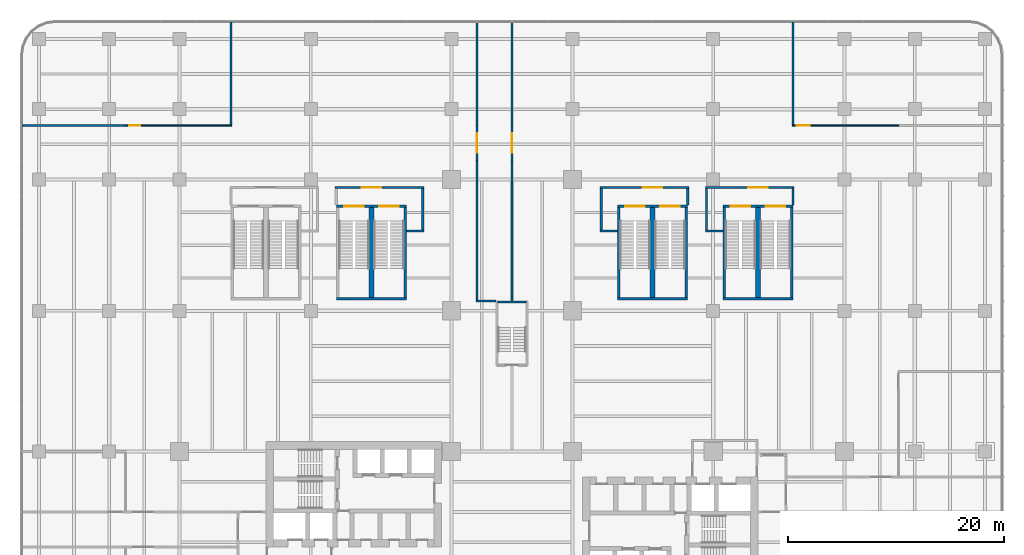
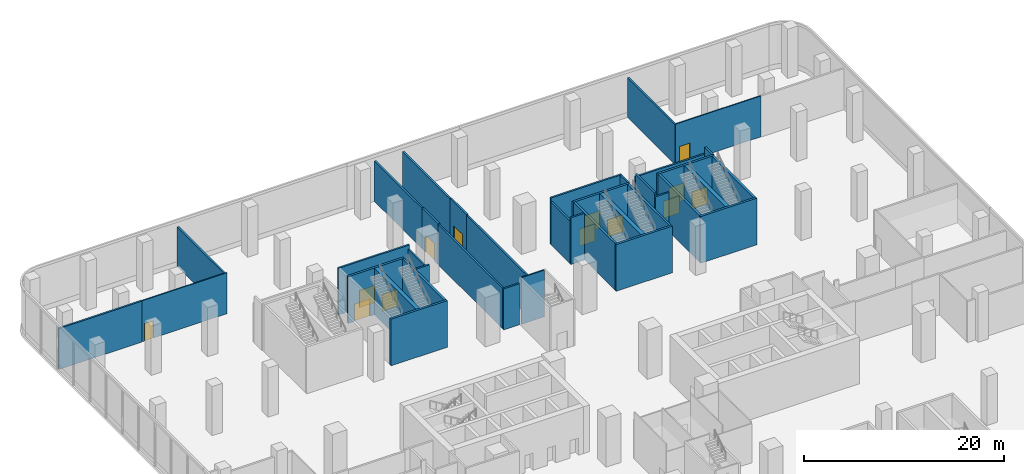
# One storey, part 38 of 41: 38 walls, 13 doors, 13 openings.
"""IFC4 building model written with IfcOpenShell, lengths in metres."""

from ifc_helpers import new_model, si_unit, direction, frame, frame_2d, origin, place, context, subcontext, project, spatial, rectangle, extrude, source, transform, mapped, material, layer, layer_set, type_object, element, fill, save


model = new_model("IFC4")

# Units and contexts
model_context = context("Model", 3, precision=1e-05, world=origin(), true_north=direction((0.0, 1.0)))
body_context = subcontext(model_context, "Body", "Model", "MODEL_VIEW")
ifc_project = project(units=[si_unit("LENGTHUNIT", "METRE"), si_unit("AREAUNIT", "SQUARE_METRE"), si_unit("VOLUMEUNIT", "CUBIC_METRE"), si_unit("PLANEANGLEUNIT", "RADIAN"), si_unit("MASSUNIT", "GRAM", prefix="KILO")], contexts=[model_context])

# Site, building, storey
site_placement = place(None, origin())
site = spatial("IfcSite", under=ifc_project, at=site_placement, CompositionType="ELEMENT")
building_placement = place(site_placement, origin())
building = spatial("IfcBuilding", under=site, at=building_placement, Name="Trellis Farm Tower", CompositionType="ELEMENT")
storey_placement = place(building_placement, frame((0.0, 0.0, 8.0)))
storey = spatial("IfcBuildingStorey", under=building, at=storey_placement, Name="L01", CompositionType="ELEMENT", Elevation=8.0)

# Wall
ifc_material_1 = material(Name="Concrete C80/95", Category="concrete")
ifc_layer_1 = layer(ifc_material_1, 0.14990234375)
ifc_layer_set_1 = layer_set([ifc_layer_1], Name="CORE STAIR ENCLOSURE WALL 150 CONCRETE C80/95")
wall_type_1 = type_object("IfcWallType", Name="CORE STAIR ENCLOSURE WALL 150 CONCRETE C80/95", PredefinedType="SHEAR", material=ifc_layer_set_1)
shared_shape_1 = source(origin(), body_context, "Body", "SweptSolid", [
    extrude(rectangle(XDim=2.60009765625, YDim=0.14990234375, at=frame_2d((1.300048828125, 0.0))), origin(), (0.0, 0.0, 1.0), 5.699951171875),
])
wall_1_placement = place(storey_placement, frame((-1.300048828125, 19.425048828125, 0.0), z_axis=(0.0, 0.0, 1.0), x_axis=(1.0, 0.0, 0.0)))
element("IfcWall", 1, at=wall_1_placement, inside=storey, type_object=wall_type_1, Name="Stair enclosure wall", PredefinedType="SHEAR", context=body_context, shape_type="MappedRepresentation", body=[
    mapped(shared_shape_1, transform((0.0, 0.0, 0.0))),
])

# Wall, openings, doors
ifc_layer_2 = layer(ifc_material_1, 0.25)
ifc_layer_set_2 = layer_set([ifc_layer_2], Name="CORE STAIR ENCLOSURE WALL 250 CONCRETE C80/95")
wall_type_2 = type_object("IfcWallType", Name="CORE STAIR ENCLOSURE WALL 250 CONCRETE C80/95", PredefinedType="SHEAR", material=ifc_layer_set_2)
shared_shape_2 = source(origin(), body_context, "Body", "SweptSolid", [
    extrude(rectangle(XDim=6.5, YDim=0.25, at=frame_2d((3.25, 0.0))), origin(), (0.0, 0.0, 1.0), 5.699951171875),
])
wall_2_placement = place(storey_placement, frame((-16.25, 28.27490234375, 0.0), z_axis=(0.0, 0.0, 1.0), x_axis=(1.0, 0.0, 0.0)))
wall_2 = element("IfcWall", 2, at=wall_2_placement, inside=storey, type_object=wall_type_2, Name="Podium stair enclosure wall", PredefinedType="SHEAR", context=body_context, shape_type="MappedRepresentation", body=[
    mapped(shared_shape_2, transform((0.0, 0.0, 0.0))),
])
shared_shape_3 = source(origin(), body_context, "Body", "SweptSolid", [
    extrude(rectangle(XDim=1.800048828125, YDim=2.10009765625, at=frame_2d((0.89990234375, 1.050048828125))), frame((0.0, 0.135009765625, 0.0), z_axis=(0.0, -1.0, 0.0), x_axis=(1.0, 0.0, 0.0)), (0.0, 0.0, 1.0), 0.27001953125),
])
opening_1_placement = place(wall_2_placement, frame((0.72509765625, 0.0, 0.0)))
opening_1 = element("IfcOpeningElement", 3, at=opening_1_placement, cuts=wall_2, Name="Opening DP3", PredefinedType="OPENING", context=body_context, shape_type="MappedRepresentation", body=[
    mapped(shared_shape_3, transform((0.0, 0.0, 0.0))),
])
opening_2_placement = place(wall_2_placement, frame((3.97509765625, 0.0, 0.0)))
opening_2 = element("IfcOpeningElement", 4, at=opening_2_placement, cuts=wall_2, Name="Opening DP4", PredefinedType="OPENING", context=body_context, shape_type="MappedRepresentation", body=[
    mapped(shared_shape_3, transform((0.0, 0.0, 0.0))),
])
ifc_material_2 = material(Name="Steel", Category="steel")
door_type_1 = type_object("IfcDoorType", Name="CORE FIRE DOOR DOUBLE 1800 X 2100", OperationType="DOUBLE_DOOR_SINGLE_SWING", PredefinedType="DOOR", material=ifc_material_2)
shared_shape_4 = source(origin(), body_context, "Body", "SweptSolid", [
    extrude(rectangle(XDim=1.800048828125, YDim=2.10009765625, at=frame_2d((0.89990234375, 1.050048828125))), frame((0.0, 0.02490234375, 0.0), z_axis=(0.0, -1.0, 0.0), x_axis=(1.0, 0.0, 0.0)), (0.0, 0.0, 1.0), 0.050048828125),
])
door_1_placement = place(opening_1_placement, origin())
door_1 = element("IfcDoor", 5, at=door_1_placement, inside=storey, type_object=door_type_1, Name="Podium stair door", OperationType="DOUBLE_DOOR_SINGLE_SWING", OverallHeight=2.10009765625, OverallWidth=1.800048828125, PredefinedType="DOOR", context=body_context, shape_type="MappedRepresentation", body=[
    mapped(shared_shape_4, transform((0.0, 0.0, 0.0))),
])
fill(opening_1, door_1)
door_2_placement = place(opening_2_placement, origin())
door_2 = element("IfcDoor", 6, at=door_2_placement, inside=storey, type_object=door_type_1, Name="Podium stair door", OperationType="DOUBLE_DOOR_SINGLE_SWING", OverallHeight=2.10009765625, OverallWidth=1.800048828125, PredefinedType="DOOR", context=body_context, shape_type="MappedRepresentation", body=[
    mapped(shared_shape_4, transform((0.0, 0.0, 0.0))),
])
fill(opening_2, door_2)

# Wall
wall_3_placement = place(storey_placement, frame((-16.25, 19.72509765625, 0.0), z_axis=(0.0, 0.0, 1.0), x_axis=(1.0, 0.0, 0.0)))
element("IfcWall", 7, at=wall_3_placement, inside=storey, type_object=wall_type_2, Name="Podium stair enclosure wall", PredefinedType="SHEAR", context=body_context, shape_type="MappedRepresentation", body=[
    mapped(shared_shape_2, transform((0.0, 0.0, 0.0))),
])

# Wall, openings, doors
wall_4_placement = place(storey_placement, frame((9.75, 28.27490234375, 0.0), z_axis=(0.0, 0.0, 1.0), x_axis=(1.0, 0.0, 0.0)))
wall_4 = element("IfcWall", 8, at=wall_4_placement, inside=storey, type_object=wall_type_2, Name="Podium stair enclosure wall", PredefinedType="SHEAR", context=body_context, shape_type="MappedRepresentation", body=[
    mapped(shared_shape_2, transform((0.0, 0.0, 0.0))),
])
opening_3_placement = place(wall_4_placement, frame((0.72509765625, 0.0, 0.0)))
opening_3 = element("IfcOpeningElement", 9, at=opening_3_placement, cuts=wall_4, Name="Opening DP5", PredefinedType="OPENING", context=body_context, shape_type="MappedRepresentation", body=[
    mapped(shared_shape_3, transform((0.0, 0.0, 0.0))),
])
opening_4_placement = place(wall_4_placement, frame((3.97509765625, 0.0, 0.0)))
opening_4 = element("IfcOpeningElement", 10, at=opening_4_placement, cuts=wall_4, Name="Opening DP6", PredefinedType="OPENING", context=body_context, shape_type="MappedRepresentation", body=[
    mapped(shared_shape_3, transform((0.0, 0.0, 0.0))),
])
door_3_placement = place(opening_3_placement, origin())
door_3 = element("IfcDoor", 11, at=door_3_placement, inside=storey, type_object=door_type_1, Name="Podium stair door", OperationType="DOUBLE_DOOR_SINGLE_SWING", OverallHeight=2.10009765625, OverallWidth=1.800048828125, PredefinedType="DOOR", context=body_context, shape_type="MappedRepresentation", body=[
    mapped(shared_shape_4, transform((0.0, 0.0, 0.0))),
])
fill(opening_3, door_3)
door_4_placement = place(opening_4_placement, origin())
door_4 = element("IfcDoor", 12, at=door_4_placement, inside=storey, type_object=door_type_1, Name="Podium stair door", OperationType="DOUBLE_DOOR_SINGLE_SWING", OverallHeight=2.10009765625, OverallWidth=1.800048828125, PredefinedType="DOOR", context=body_context, shape_type="MappedRepresentation", body=[
    mapped(shared_shape_4, transform((0.0, 0.0, 0.0))),
])
fill(opening_4, door_4)

# Wall
wall_5_placement = place(storey_placement, frame((9.75, 19.72509765625, 0.0), z_axis=(0.0, 0.0, 1.0), x_axis=(1.0, 0.0, 0.0)))
element("IfcWall", 13, at=wall_5_placement, inside=storey, type_object=wall_type_2, Name="Podium stair enclosure wall", PredefinedType="SHEAR", context=body_context, shape_type="MappedRepresentation", body=[
    mapped(shared_shape_2, transform((0.0, 0.0, 0.0))),
])

# Wall, openings, doors
wall_6_placement = place(storey_placement, frame((19.5, 28.27490234375, 0.0), z_axis=(0.0, 0.0, 1.0), x_axis=(1.0, 0.0, 0.0)))
wall_6 = element("IfcWall", 14, at=wall_6_placement, inside=storey, type_object=wall_type_2, Name="Podium stair enclosure wall", PredefinedType="SHEAR", context=body_context, shape_type="MappedRepresentation", body=[
    mapped(shared_shape_2, transform((0.0, 0.0, 0.0))),
])
opening_5_placement = place(wall_6_placement, frame((0.72509765625, 0.0, 0.0)))
opening_5 = element("IfcOpeningElement", 15, at=opening_5_placement, cuts=wall_6, Name="Opening DP7", PredefinedType="OPENING", context=body_context, shape_type="MappedRepresentation", body=[
    mapped(shared_shape_3, transform((0.0, 0.0, 0.0))),
])
opening_6_placement = place(wall_6_placement, frame((3.97509765625, 0.0, 0.0)))
opening_6 = element("IfcOpeningElement", 16, at=opening_6_placement, cuts=wall_6, Name="Opening DP8", PredefinedType="OPENING", context=body_context, shape_type="MappedRepresentation", body=[
    mapped(shared_shape_3, transform((0.0, 0.0, 0.0))),
])
door_5_placement = place(opening_5_placement, origin())
door_5 = element("IfcDoor", 17, at=door_5_placement, inside=storey, type_object=door_type_1, Name="Podium stair door", OperationType="DOUBLE_DOOR_SINGLE_SWING", OverallHeight=2.10009765625, OverallWidth=1.800048828125, PredefinedType="DOOR", context=body_context, shape_type="MappedRepresentation", body=[
    mapped(shared_shape_4, transform((0.0, 0.0, 0.0))),
])
fill(opening_5, door_5)
door_6_placement = place(opening_6_placement, origin())
door_6 = element("IfcDoor", 18, at=door_6_placement, inside=storey, type_object=door_type_1, Name="Podium stair door", OperationType="DOUBLE_DOOR_SINGLE_SWING", OverallHeight=2.10009765625, OverallWidth=1.800048828125, PredefinedType="DOOR", context=body_context, shape_type="MappedRepresentation", body=[
    mapped(shared_shape_4, transform((0.0, 0.0, 0.0))),
])
fill(opening_6, door_6)

# Walls
wall_7_placement = place(storey_placement, frame((19.5, 19.72509765625, 0.0), z_axis=(0.0, 0.0, 1.0), x_axis=(1.0, 0.0, 0.0)))
element("IfcWall", 19, at=wall_7_placement, inside=storey, type_object=wall_type_2, Name="Podium stair enclosure wall", PredefinedType="SHEAR", context=body_context, shape_type="MappedRepresentation", body=[
    mapped(shared_shape_2, transform((0.0, 0.0, 0.0))),
])
shared_shape_5 = source(origin(), body_context, "Body", "SweptSolid", [
    extrude(rectangle(XDim=8.2998046875, YDim=0.25, at=frame_2d((4.14990234375, 0.0))), origin(), (0.0, 0.0, 1.0), 5.699951171875),
])
for number, where, z_axis, x_axis, name in (
    (20, (-9.875, 19.85009765625, 0.0), (0.0, 0.0, 1.0), (0.0, 1.0, 0.0), "Podium stair enclosure wall"),
    (21, (9.875, 19.85009765625, 0.0), (0.0, 0.0, 1.0), (0.0, 1.0, 0.0), "Podium stair enclosure wall"),
    (22, (16.125, 19.85009765625, 0.0), (0.0, 0.0, 1.0), (0.0, 1.0, 0.0), "Podium stair enclosure wall"),
    (23, (19.625, 19.85009765625, 0.0), (0.0, 0.0, 1.0), (0.0, 1.0, 0.0), "Podium stair enclosure wall"),
    (24, (25.875, 19.85009765625, 0.0), (0.0, 0.0, 1.0), (0.0, 1.0, 0.0), "Podium stair enclosure wall"),
):
    element("IfcWall", number, at=place(storey_placement, frame(where, z_axis=z_axis, x_axis=x_axis)), inside=storey, type_object=wall_type_2, Name=name, PredefinedType="SHEAR", context=body_context, shape_type="MappedRepresentation", body=[
        mapped(shared_shape_5, transform((0.0, 0.0, 0.0))),
    ])
ifc_layer_3 = layer(ifc_material_1, 0.43994140625)
ifc_layer_set_3 = layer_set([ifc_layer_3], Name="CORE STAIR ENCLOSURE WALL 440 CONCRETE C80/95")
wall_type_3 = type_object("IfcWallType", Name="CORE STAIR ENCLOSURE WALL 440 CONCRETE C80/95", PredefinedType="SHEAR", material=ifc_layer_set_3)
shared_shape_6 = source(origin(), body_context, "Body", "SweptSolid", [
    extrude(rectangle(XDim=8.2998046875, YDim=0.43994140625, at=frame_2d((4.14990234375, 0.0))), origin(), (0.0, 0.0, 1.0), 5.699951171875),
])
for number, where, z_axis, x_axis, name in (
    (25, (-13.0, 19.85009765625, 0.0), (0.0, 0.0, 1.0), (0.0, 1.0, 0.0), "Podium stair enclosure wall"),
    (26, (13.0, 19.85009765625, 0.0), (0.0, 0.0, 1.0), (0.0, 1.0, 0.0), "Podium stair enclosure wall"),
    (27, (22.75, 19.85009765625, 0.0), (0.0, 0.0, 1.0), (0.0, 1.0, 0.0), "Podium stair enclosure wall"),
):
    element("IfcWall", number, at=place(storey_placement, frame(where, z_axis=z_axis, x_axis=x_axis)), inside=storey, type_object=wall_type_3, Name=name, PredefinedType="SHEAR", context=body_context, shape_type="MappedRepresentation", body=[
        mapped(shared_shape_6, transform((0.0, 0.0, 0.0))),
    ])
ifc_material_3 = material(Name="Lightweight blockwork, plastered", Category="masonry")
ifc_layer_4 = layer(ifc_material_3, 0.199951171875)
ifc_layer_set_4 = layer_set([ifc_layer_4], Name="BLOCK WALL 200 EI 120")
wall_type_4 = type_object("IfcWallType", Name="BLOCK WALL 200 EI 120", PredefinedType="PARTITIONING", material=ifc_layer_set_4)
shared_shape_7 = source(origin(), body_context, "Body", "SweptSolid", [
    extrude(rectangle(XDim=1.5, YDim=0.199951171875, at=frame_2d((0.75, 0.0))), origin(), (0.0, 0.0, 1.0), 5.699951171875),
])
for number, where, z_axis, x_axis, name in (
    (28, (16.25, 28.39990234375, 0.0), (0.0, 0.0, 1.0), (0.0, 1.0, 0.0), "Partition PW3"),
    (29, (26.0, 28.39990234375, 0.0), (0.0, 0.0, 1.0), (0.0, 1.0, 0.0), "Partition PW3"),
):
    element("IfcWall", number, at=place(storey_placement, frame(where, z_axis=z_axis, x_axis=x_axis)), inside=storey, type_object=wall_type_4, Name=name, PredefinedType="PARTITIONING", context=body_context, shape_type="MappedRepresentation", body=[
        mapped(shared_shape_7, transform((0.0, 0.0, 0.0))),
    ])
shared_shape_8 = source(origin(), body_context, "Body", "SweptSolid", [
    extrude(rectangle(XDim=9.487548828125, YDim=0.199951171875, at=frame_2d((4.74365234375, 0.0))), origin(), (0.0, 0.0, 1.0), 4.83935546875),
])
for number, where, z_axis, x_axis, name in (
    (30, (-26.0, 35.8125, 0.0), (0.0, 0.0, 1.0), (0.0, 1.0, 0.0), "Partition PW3"),
    (31, (26.0, 35.8125, 0.0), (0.0, 0.0, 1.0), (0.0, 1.0, 0.0), "Partition PW3"),
):
    element("IfcWall", number, at=place(storey_placement, frame(where, z_axis=z_axis, x_axis=x_axis)), inside=storey, type_object=wall_type_4, Name=name, PredefinedType="PARTITIONING", context=body_context, shape_type="MappedRepresentation", body=[
        mapped(shared_shape_8, transform((0.0, 0.0, 0.0))),
    ])
shared_shape_9 = source(origin(), body_context, "Body", "SweptSolid", [
    extrude(rectangle(XDim=3.7998046875, YDim=0.199951171875, at=frame_2d((1.89990234375, 0.0))), origin(), (0.0, 0.0, 1.0), 5.222900390625),
])
for number, where, z_axis, x_axis, name in (
    (32, (-8.25, 26.10009765625, 0.0), (0.0, 0.0, 1.0), (0.0, 1.0, 0.0), "Partition PW3"),
    (33, (8.25, 26.10009765625, 0.0), (0.0, 0.0, 1.0), (0.0, 1.0, 0.0), "Partition PW3"),
    (34, (18.0, 26.10009765625, 0.0), (0.0, 0.0, 1.0), (0.0, 1.0, 0.0), "Partition PW3"),
):
    element("IfcWall", number, at=place(storey_placement, frame(where, z_axis=z_axis, x_axis=x_axis)), inside=storey, type_object=wall_type_4, Name=name, PredefinedType="PARTITIONING", context=body_context, shape_type="MappedRepresentation", body=[
        mapped(shared_shape_9, transform((0.0, 0.0, 0.0))),
    ])
shared_shape_10 = source(origin(), body_context, "Body", "SweptSolid", [
    extrude(rectangle(XDim=12.89990234375, YDim=0.199951171875, at=frame_2d((6.449951171875, 0.0))), origin(), (0.0, 0.0, 1.0), 4.917724609375),
])
wall_8_placement = place(storey_placement, frame((-3.25, 19.60009765625, 0.0), z_axis=(0.0, 0.0, 1.0), x_axis=(0.0, 1.0, 0.0)))
element("IfcWall", 35, at=wall_8_placement, inside=storey, type_object=wall_type_4, Name="Partition PW3", PredefinedType="PARTITIONING", context=body_context, shape_type="MappedRepresentation", body=[
    mapped(shared_shape_10, transform((0.0, 0.0, 0.0))),
])

# Wall, opening, door
shared_shape_11 = source(origin(), body_context, "Body", "SweptSolid", [
    extrude(rectangle(XDim=3.25, YDim=0.199951171875, at=frame_2d((1.625, 0.0))), origin(), (0.0, 0.0, 1.0), 4.99658203125),
])
wall_9_placement = place(storey_placement, frame((-3.25, 32.5, 0.0), z_axis=(0.0, 0.0, 1.0), x_axis=(0.0, 1.0, 0.0)))
wall_9 = element("IfcWall", 36, at=wall_9_placement, inside=storey, type_object=wall_type_4, Name="Partition PW3", PredefinedType="PARTITIONING", context=body_context, shape_type="MappedRepresentation", body=[
    mapped(shared_shape_11, transform((0.0, 0.0, 0.0))),
])
shared_shape_12 = source(origin(), body_context, "Body", "SweptSolid", [
    extrude(rectangle(XDim=1.800048828125, YDim=2.10009765625, at=frame_2d((0.89990234375, 1.050048828125))), frame((0.0, 0.110107421875, 0.0), z_axis=(0.0, -1.0, 0.0), x_axis=(1.0, 0.0, 0.0)), (0.0, 0.0, 1.0), 0.22021484375),
])
opening_7_placement = place(wall_9_placement, frame((0.72509765625, 0.0, 0.0)))
opening_7 = element("IfcOpeningElement", 37, at=opening_7_placement, cuts=wall_9, Name="Opening D420", PredefinedType="OPENING", context=body_context, shape_type="MappedRepresentation", body=[
    mapped(shared_shape_12, transform((0.0, 0.0, 0.0))),
])
ifc_material_4 = material(Name="Fire-rated timber door leaf in a hollow metal frame", Category="wood")
door_type_2 = type_object("IfcDoorType", Name="DOOR PAIR 1800x2100 FD60", OperationType="NOTDEFINED", PredefinedType="DOOR", material=ifc_material_4)
door_7_placement = place(opening_7_placement, origin())
door_7 = element("IfcDoor", 38, at=door_7_placement, inside=storey, type_object=door_type_2, Name="Door D420", OperationType="DOUBLE_DOOR_SINGLE_SWING", OverallHeight=2.10009765625, OverallWidth=1.800048828125, PredefinedType="DOOR", context=body_context, shape_type="MappedRepresentation", body=[
    mapped(shared_shape_4, transform((0.0, 0.0, 0.0))),
])
fill(opening_7, door_7)

wall_10_placement = place(storey_placement, frame((0.0, 35.75, 0.0), z_axis=(0.0, 0.0, 1.0), x_axis=(0.0, -1.0, 0.0)))
wall_10 = element("IfcWall", 39, at=wall_10_placement, inside=storey, type_object=wall_type_4, Name="Partition PW3", PredefinedType="PARTITIONING", context=body_context, shape_type="MappedRepresentation", body=[
    mapped(shared_shape_11, transform((0.0, 0.0, 0.0))),
])
opening_8_placement = place(wall_10_placement, frame((0.72509765625, 0.0, 0.0)))
opening_8 = element("IfcOpeningElement", 40, at=opening_8_placement, cuts=wall_10, Name="Opening D421", PredefinedType="OPENING", context=body_context, shape_type="MappedRepresentation", body=[
    mapped(shared_shape_12, transform((0.0, 0.0, 0.0))),
])
door_8_placement = place(opening_8_placement, origin())
door_8 = element("IfcDoor", 41, at=door_8_placement, inside=storey, type_object=door_type_2, Name="Door D421", OperationType="DOUBLE_DOOR_SINGLE_SWING", OverallHeight=2.10009765625, OverallWidth=1.800048828125, PredefinedType="DOOR", context=body_context, shape_type="MappedRepresentation", body=[
    mapped(shared_shape_4, transform((0.0, 0.0, 0.0))),
])
fill(opening_8, door_8)

# Walls
shared_shape_13 = source(origin(), body_context, "Body", "SweptSolid", [
    extrude(rectangle(XDim=9.550048828125, YDim=0.199951171875, at=frame_2d((4.77490234375, 0.0))), origin(), (0.0, 0.0, 1.0), 4.917724609375),
])
for number, where, z_axis, x_axis, name in (
    (42, (-3.25, 35.75, 0.0), (0.0, 0.0, 1.0), (0.0, 1.0, 0.0), "Partition PW3"),
    (43, (0.0, 45.300048828125, 0.0), (0.0, 0.0, 1.0), (0.0, -1.0, 0.0), "Partition PW3"),
):
    element("IfcWall", number, at=place(storey_placement, frame(where, z_axis=z_axis, x_axis=x_axis)), inside=storey, type_object=wall_type_4, Name=name, PredefinedType="PARTITIONING", context=body_context, shape_type="MappedRepresentation", body=[
        mapped(shared_shape_13, transform((0.0, 0.0, 0.0))),
    ])
shared_shape_14 = source(origin(), body_context, "Body", "SweptSolid", [
    extrude(rectangle(XDim=13.0, YDim=0.199951171875, at=frame_2d((6.5, 0.0))), origin(), (0.0, 0.0, 1.0), 4.917724609375),
])
wall_11_placement = place(storey_placement, frame((0.0, 19.5, 0.0), z_axis=(0.0, 0.0, 1.0), x_axis=(0.0, 1.0, 0.0)))
element("IfcWall", 44, at=wall_11_placement, inside=storey, type_object=wall_type_4, Name="Partition PW3", PredefinedType="PARTITIONING", context=body_context, shape_type="MappedRepresentation", body=[
    mapped(shared_shape_14, transform((0.0, 0.0, 0.0))),
])
shared_shape_15 = source(origin(), body_context, "Body", "SweptSolid", [
    extrude(rectangle(XDim=9.550048828125, YDim=0.199951171875, at=frame_2d((4.77490234375, 0.0))), origin(), (0.0, 0.0, 1.0), 4.99658203125),
])
wall_12_placement = place(storey_placement, frame((-45.300048828125, 35.75, 0.0), z_axis=(0.0, 0.0, 1.0), x_axis=(1.0, 0.0, 0.0)))
element("IfcWall", 45, at=wall_12_placement, inside=storey, type_object=wall_type_4, Name="Partition PW3", PredefinedType="PARTITIONING", context=body_context, shape_type="MappedRepresentation", body=[
    mapped(shared_shape_15, transform((0.0, 0.0, 0.0))),
])

# Wall, opening, door
shared_shape_16 = source(origin(), body_context, "Body", "SweptSolid", [
    extrude(rectangle(XDim=8.2001953125, YDim=0.199951171875, at=frame_2d((4.10009765625, 0.0))), origin(), (0.0, 0.0, 1.0), 5.699951171875),
])
wall_13_placement = place(storey_placement, frame((-16.35009765625, 30.0, 0.0), z_axis=(0.0, 0.0, 1.0), x_axis=(1.0, 0.0, 0.0)))
wall_13 = element("IfcWall", 46, at=wall_13_placement, inside=storey, type_object=wall_type_4, Name="Partition PW3", PredefinedType="PARTITIONING", context=body_context, shape_type="MappedRepresentation", body=[
    mapped(shared_shape_16, transform((0.0, 0.0, 0.0))),
])
opening_9_placement = place(wall_13_placement, frame((2.449951171875, 0.0, 0.0)))
opening_9 = element("IfcOpeningElement", 47, at=opening_9_placement, cuts=wall_13, Name="Opening D417", PredefinedType="OPENING", context=body_context, shape_type="MappedRepresentation", body=[
    mapped(shared_shape_12, transform((0.0, 0.0, 0.0))),
])
door_9_placement = place(opening_9_placement, origin())
door_9 = element("IfcDoor", 48, at=door_9_placement, inside=storey, type_object=door_type_2, Name="Door D417", OperationType="DOUBLE_DOOR_SINGLE_SWING", OverallHeight=2.10009765625, OverallWidth=1.800048828125, PredefinedType="DOOR", context=body_context, shape_type="MappedRepresentation", body=[
    mapped(shared_shape_4, transform((0.0, 0.0, 0.0))),
])
fill(opening_9, door_9)

wall_14_placement = place(storey_placement, frame((8.14990234375, 30.0, 0.0), z_axis=(0.0, 0.0, 1.0), x_axis=(1.0, 0.0, 0.0)))
wall_14 = element("IfcWall", 49, at=wall_14_placement, inside=storey, type_object=wall_type_4, Name="Partition PW3", PredefinedType="PARTITIONING", context=body_context, shape_type="MappedRepresentation", body=[
    mapped(shared_shape_16, transform((0.0, 0.0, 0.0))),
])
opening_10_placement = place(wall_14_placement, frame((3.949951171875, 0.0, 0.0)))
opening_10 = element("IfcOpeningElement", 50, at=opening_10_placement, cuts=wall_14, Name="Opening D418", PredefinedType="OPENING", context=body_context, shape_type="MappedRepresentation", body=[
    mapped(shared_shape_12, transform((0.0, 0.0, 0.0))),
])
door_10_placement = place(opening_10_placement, origin())
door_10 = element("IfcDoor", 51, at=door_10_placement, inside=storey, type_object=door_type_2, Name="Door D418", OperationType="DOUBLE_DOOR_SINGLE_SWING", OverallHeight=2.10009765625, OverallWidth=1.800048828125, PredefinedType="DOOR", context=body_context, shape_type="MappedRepresentation", body=[
    mapped(shared_shape_4, transform((0.0, 0.0, 0.0))),
])
fill(opening_10, door_10)

shared_shape_17 = source(origin(), body_context, "Body", "SweptSolid", [
    extrude(rectangle(XDim=8.2001953125, YDim=0.199951171875, at=frame_2d((4.10009765625, 0.0))), origin(), (0.0, 0.0, 1.0), 4.83935546875),
])
wall_15_placement = place(storey_placement, frame((17.89990234375, 30.0, 0.0), z_axis=(0.0, 0.0, 1.0), x_axis=(1.0, 0.0, 0.0)))
wall_15 = element("IfcWall", 52, at=wall_15_placement, inside=storey, type_object=wall_type_4, Name="Partition PW3", PredefinedType="PARTITIONING", context=body_context, shape_type="MappedRepresentation", body=[
    mapped(shared_shape_17, transform((0.0, 0.0, 0.0))),
])
opening_11_placement = place(wall_15_placement, frame((3.949951171875, 0.0, 0.0)))
opening_11 = element("IfcOpeningElement", 53, at=opening_11_placement, cuts=wall_15, Name="Opening D419", PredefinedType="OPENING", context=body_context, shape_type="MappedRepresentation", body=[
    mapped(shared_shape_12, transform((0.0, 0.0, 0.0))),
])
door_11_placement = place(opening_11_placement, origin())
door_11 = element("IfcDoor", 54, at=door_11_placement, inside=storey, type_object=door_type_2, Name="Door D419", OperationType="DOUBLE_DOOR_SINGLE_SWING", OverallHeight=2.10009765625, OverallWidth=1.800048828125, PredefinedType="DOOR", context=body_context, shape_type="MappedRepresentation", body=[
    mapped(shared_shape_4, transform((0.0, 0.0, 0.0))),
])
fill(opening_11, door_11)

# Walls
shared_shape_18 = source(origin(), body_context, "Body", "SweptSolid", [
    extrude(rectangle(XDim=1.60009765625, YDim=0.199951171875, at=frame_2d((0.800048828125, 0.0))), origin(), (0.0, 0.0, 1.0), 5.699951171875),
])
for number, where, z_axis, x_axis, name in (
    (55, (-8.14990234375, 26.0, 0.0), (0.0, 0.0, 1.0), (-1.0, 0.0, 0.0), "Partition PW3"),
    (56, (9.75, 26.0, 0.0), (0.0, 0.0, 1.0), (-1.0, 0.0, 0.0), "Partition PW3"),
):
    element("IfcWall", number, at=place(storey_placement, frame(where, z_axis=z_axis, x_axis=x_axis)), inside=storey, type_object=wall_type_4, Name=name, PredefinedType="PARTITIONING", context=body_context, shape_type="MappedRepresentation", body=[
        mapped(shared_shape_18, transform((0.0, 0.0, 0.0))),
    ])
shared_shape_19 = source(origin(), body_context, "Body", "SweptSolid", [
    extrude(rectangle(XDim=1.60009765625, YDim=0.199951171875, at=frame_2d((0.800048828125, 0.0))), origin(), (0.0, 0.0, 1.0), 4.83935546875),
])
wall_16_placement = place(storey_placement, frame((19.5, 26.0, 0.0), z_axis=(0.0, 0.0, 1.0), x_axis=(-1.0, 0.0, 0.0)))
element("IfcWall", 57, at=wall_16_placement, inside=storey, type_object=wall_type_4, Name="Partition PW3", PredefinedType="PARTITIONING", context=body_context, shape_type="MappedRepresentation", body=[
    mapped(shared_shape_19, transform((0.0, 0.0, 0.0))),
])
shared_shape_20 = source(origin(), body_context, "Body", "SweptSolid", [
    extrude(rectangle(XDim=1.85009765625, YDim=0.199951171875, at=frame_2d((0.925048828125, 0.0))), origin(), (0.0, 0.0, 1.0), 4.99658203125),
])
wall_17_placement = place(storey_placement, frame((-1.5, 19.5, 0.0), z_axis=(0.0, 0.0, 1.0), x_axis=(-1.0, 0.0, 0.0)))
element("IfcWall", 58, at=wall_17_placement, inside=storey, type_object=wall_type_4, Name="Partition PW3", PredefinedType="PARTITIONING", context=body_context, shape_type="MappedRepresentation", body=[
    mapped(shared_shape_20, transform((0.0, 0.0, 0.0))),
])

# Wall, opening, door
ifc_material_5 = material(Name="Plasterboard on steel studs, mineral wool", Category="steel")
ifc_layer_5 = layer(ifc_material_5, 0.125)
ifc_layer_set_5 = layer_set([ifc_layer_5], Name="PARTITION 125 STUD EI 60")
wall_type_5 = type_object("IfcWallType", Name="PARTITION 125 STUD EI 60", PredefinedType="PARTITIONING", material=ifc_layer_set_5)
shared_shape_21 = source(origin(), body_context, "Body", "SweptSolid", [
    extrude(rectangle(XDim=9.85009765625, YDim=0.125, at=frame_2d((4.925048828125, 0.0))), origin(), (0.0, 0.0, 1.0), 4.99658203125),
])
wall_18_placement = place(storey_placement, frame((-35.75, 35.75, 0.0), z_axis=(0.0, 0.0, 1.0), x_axis=(1.0, 0.0, 0.0)))
wall_18 = element("IfcWall", 59, at=wall_18_placement, inside=storey, type_object=wall_type_5, Name="Partition PW1", PredefinedType="PARTITIONING", context=body_context, shape_type="MappedRepresentation", body=[
    mapped(shared_shape_21, transform((0.0, 0.0, 0.0))),
])
shared_shape_22 = source(origin(), body_context, "Body", "SweptSolid", [
    extrude(rectangle(XDim=1.0, YDim=2.10009765625, at=frame_2d((0.5, 1.050048828125))), frame((0.0, 0.072509765625, 0.0), z_axis=(0.0, -1.0, 0.0), x_axis=(1.0, 0.0, 0.0)), (0.0, 0.0, 1.0), 0.14501953125),
])
opening_12_placement = place(wall_18_placement, frame((0.35009765625, 0.0, 0.0)))
opening_12 = element("IfcOpeningElement", 60, at=opening_12_placement, cuts=wall_18, Name="Opening D302", PredefinedType="OPENING", context=body_context, shape_type="MappedRepresentation", body=[
    mapped(shared_shape_22, transform((0.0, 0.0, 0.0))),
])
door_type_3 = type_object("IfcDoorType", Name="DOOR 1000x2100 FD60", OperationType="NOTDEFINED", PredefinedType="DOOR", material=ifc_material_4)
shared_shape_23 = source(origin(), body_context, "Body", "SweptSolid", [
    extrude(rectangle(XDim=1.0, YDim=2.10009765625, at=frame_2d((0.5, 1.050048828125))), frame((0.0, 0.02490234375, 0.0), z_axis=(0.0, -1.0, 0.0), x_axis=(1.0, 0.0, 0.0)), (0.0, 0.0, 1.0), 0.050048828125),
])
door_12_placement = place(opening_12_placement, origin())
door_12 = element("IfcDoor", 61, at=door_12_placement, inside=storey, type_object=door_type_3, Name="Door D302", OperationType="SINGLE_SWING_LEFT", OverallHeight=2.10009765625, OverallWidth=1.0, PredefinedType="DOOR", context=body_context, shape_type="MappedRepresentation", body=[
    mapped(shared_shape_23, transform((0.0, 0.0, 0.0))),
])
fill(opening_12, door_12)

wall_19_placement = place(storey_placement, frame((25.89990234375, 35.75, 0.0), z_axis=(0.0, 0.0, 1.0), x_axis=(1.0, 0.0, 0.0)))
wall_19 = element("IfcWall", 62, at=wall_19_placement, inside=storey, type_object=wall_type_5, Name="Partition PW1", PredefinedType="PARTITIONING", context=body_context, shape_type="MappedRepresentation", body=[
    mapped(shared_shape_21, transform((0.0, 0.0, 0.0))),
])
shared_shape_24 = source(origin(), body_context, "Body", "SweptSolid", [
    extrude(rectangle(XDim=1.199951171875, YDim=2.10009765625, at=frame_2d((0.60009765625, 1.050048828125))), frame((0.0, 0.072509765625, 0.0), z_axis=(0.0, -1.0, 0.0), x_axis=(1.0, 0.0, 0.0)), (0.0, 0.0, 1.0), 0.14501953125),
])
opening_13_placement = place(wall_19_placement, frame((0.449951171875, 0.0, 0.0)))
opening_13 = element("IfcOpeningElement", 63, at=opening_13_placement, cuts=wall_19, Name="Opening D609", PredefinedType="OPENING", context=body_context, shape_type="MappedRepresentation", body=[
    mapped(shared_shape_24, transform((0.0, 0.0, 0.0))),
])
door_type_4 = type_object("IfcDoorType", Name="DOOR 1200x2100 FD30S", OperationType="NOTDEFINED", PredefinedType="DOOR", material=ifc_material_4)
shared_shape_25 = source(origin(), body_context, "Body", "SweptSolid", [
    extrude(rectangle(XDim=1.199951171875, YDim=2.10009765625, at=frame_2d((0.60009765625, 1.050048828125))), frame((0.0, 0.02490234375, 0.0), z_axis=(0.0, -1.0, 0.0), x_axis=(1.0, 0.0, 0.0)), (0.0, 0.0, 1.0), 0.050048828125),
])
door_13_placement = place(opening_13_placement, origin())
door_13 = element("IfcDoor", 64, at=door_13_placement, inside=storey, type_object=door_type_4, Name="Door D609", OperationType="SINGLE_SWING_LEFT", OverallHeight=2.10009765625, OverallWidth=1.199951171875, PredefinedType="DOOR", context=body_context, shape_type="MappedRepresentation", body=[
    mapped(shared_shape_25, transform((0.0, 0.0, 0.0))),
])
fill(opening_13, door_13)

save(model, "model.ifc")
